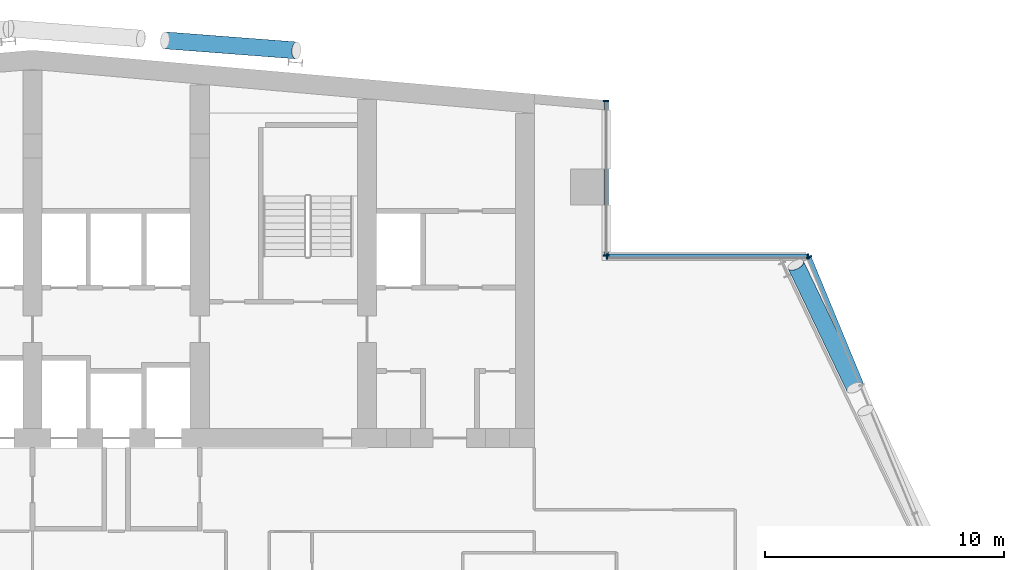
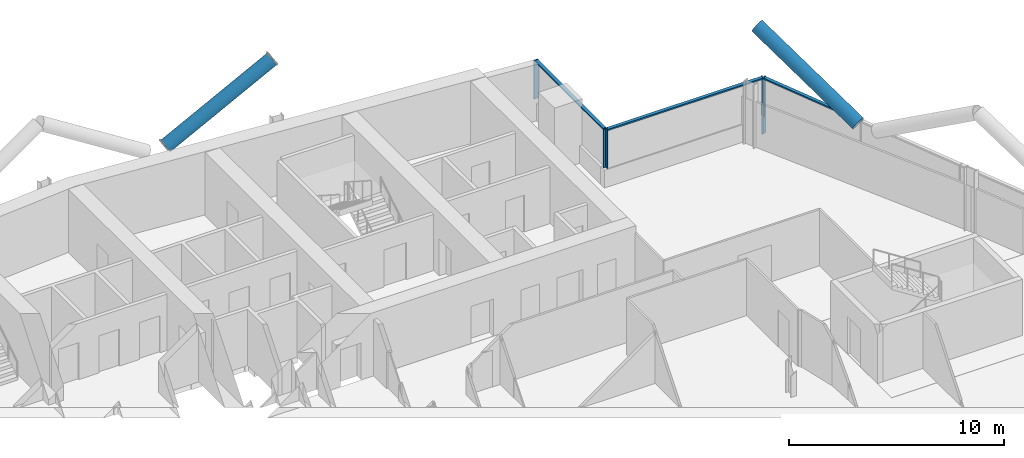
# One storey, part 10 of 26: 10 members, 3 elements without a shape of their own.
"""IFC4 building model written with IfcOpenShell, lengths in metres."""

from ifc_helpers import new_model, si_unit, direction, frame, origin, origin_2d, place, context, subcontext, project, spatial, rectangle, hollow_circle, extrude, material, material_profile, profile_set, type_object, element, aggregate, save


model = new_model("IFC4")

# Units and contexts
model_context = context("Model", 3, precision=1e-05, world=origin(), true_north=direction((0.0, 1.0)))
body_context = subcontext(model_context, "Body", "Model", "MODEL_VIEW")
ifc_project = project(units=[si_unit("LENGTHUNIT", "METRE"), si_unit("AREAUNIT", "SQUARE_METRE"), si_unit("VOLUMEUNIT", "CUBIC_METRE"), si_unit("PLANEANGLEUNIT", "RADIAN"), si_unit("MASSUNIT", "GRAM", prefix="KILO")], contexts=[model_context])

# Site, building, storey
site_placement = place(None, origin())
site = spatial("IfcSite", under=ifc_project, at=site_placement, CompositionType="ELEMENT")
building_placement = place(site_placement, origin())
building = spatial("IfcBuilding", under=site, at=building_placement, Name="Wharfspan Tower", CompositionType="ELEMENT")
storey_placement = place(building_placement, frame((0.0, 0.0, 166.300049)))
storey = spatial("IfcBuildingStorey", under=building, at=storey_placement, Name="L40", CompositionType="ELEMENT", Elevation=166.300049)

# Curtain wall, member
ifc_material_1 = material(Name="Aluminium 6063-T6", Category="aluminium")
curtain_wall_type = type_object("IfcCurtainWallType", Name="CURTAIN WALL PROW AND END", PredefinedType="NOTDEFINED", material=ifc_material_1)
curtain_wall_1_placement = place(storey_placement, origin())
curtain_wall_1 = element("IfcCurtainWall", 1, at=curtain_wall_1_placement, inside=storey, type_object=curtain_wall_type, Name="Curtain wall E", PredefinedType="NOTDEFINED")
ifc_material_profile_1 = material_profile(ifc_material_1, rectangle(XDim=0.23999, YDim=0.060059, at=origin_2d()))
ifc_profile_set_1 = profile_set([ifc_material_profile_1], Name="Aluminium 6063-T6")
member_type_1 = type_object("IfcMemberType", Name="MULLION PROW AND END 60x240", PredefinedType="MULLION", material=ifc_profile_set_1)
member_1_placement = place(storey_placement, frame((69.488525, 41.972168, 0.0), z_axis=(0.0, 0.0, 1.0), x_axis=(-0.924325, -0.381602, 0.0)))
member_1 = element("IfcMember", 2, at=member_1_placement, type_object=member_type_1, Name="Curtain wall E mullion 8", PredefinedType="MULLION", context=body_context, shape_type="SweptSolid", body=[
    extrude(rectangle(XDim=0.23999, YDim=0.060059, at=origin_2d()), origin(), (0.0, 0.0, 1.0), 3.199951),
])

# Curtain wall, members
curtain_wall_2_placement = place(storey_placement, origin())
curtain_wall_2 = element("IfcCurtainWall", 3, at=curtain_wall_2_placement, inside=storey, type_object=curtain_wall_type, Name="Curtain wall NRE-H", PredefinedType="NOTDEFINED")
member_2_placement = place(storey_placement, frame((69.447021, 42.0, 1.0), z_axis=(0.0, 0.0, 1.0), x_axis=(0.0, -1.0, 0.0)))
member_2 = element("IfcMember", 4, at=member_2_placement, type_object=member_type_1, Name="Curtain wall NRE-H mullion 1", PredefinedType="MULLION", context=body_context, shape_type="SweptSolid", body=[
    extrude(rectangle(XDim=0.23999, YDim=0.060059, at=origin_2d()), origin(), (0.0, 0.0, 1.0), 2.199951),
])
member_3_placement = place(storey_placement, frame((61.030029, 42.0, 1.0), z_axis=(0.0, 0.0, 1.0), x_axis=(0.0, -1.0, 0.0)))
member_3 = element("IfcMember", 5, at=member_3_placement, type_object=member_type_1, Name="Curtain wall NRE-H mullion 2", PredefinedType="MULLION", context=body_context, shape_type="SweptSolid", body=[
    extrude(rectangle(XDim=0.23999, YDim=0.060059, at=origin_2d()), origin(), (0.0, 0.0, 1.0), 2.199951),
])

curtain_wall_3_placement = place(storey_placement, origin())
curtain_wall_3 = element("IfcCurtainWall", 6, at=curtain_wall_3_placement, inside=storey, type_object=curtain_wall_type, Name="Curtain wall NRE-V", PredefinedType="NOTDEFINED")
member_4_placement = place(storey_placement, frame((61.0, 42.030029, 1.0), z_axis=(0.0, 0.0, 1.0), x_axis=(-1.0, 0.0, 0.0)))
member_4 = element("IfcMember", 7, at=member_4_placement, type_object=member_type_1, Name="Curtain wall NRE-V mullion 1", PredefinedType="MULLION", context=body_context, shape_type="SweptSolid", body=[
    extrude(rectangle(XDim=0.23999, YDim=0.060059, at=origin_2d()), origin(), (0.0, 0.0, 1.0), 2.199951),
])
member_5_placement = place(storey_placement, frame((61.0, 48.494873, 1.0), z_axis=(0.0, 0.0, 1.0), x_axis=(-1.0, 0.0, 0.0)))
member_5 = element("IfcMember", 8, at=member_5_placement, type_object=member_type_1, Name="Curtain wall NRE-V mullion 2", PredefinedType="MULLION", context=body_context, shape_type="SweptSolid", body=[
    extrude(rectangle(XDim=0.23999, YDim=0.060059, at=origin_2d()), origin(), (0.0, 0.0, 1.0), 2.199951),
])

# Members
ifc_material_2 = material(Name="Steel S460NH", Category="steel")
ifc_material_profile_2 = material_profile(ifc_material_2, hollow_circle(Radius=0.355469, WallThickness=0.035889, at=origin_2d()))
ifc_profile_set_2 = profile_set([ifc_material_profile_2], Name="Steel S460NH")
member_type_2 = type_object("IfcMemberType", Name="Mega brace CHS 711x36", PredefinedType="BRACE", material=ifc_profile_set_2)
member_6_placement = place(storey_placement, frame((71.401123, 36.504395, 3.205811), z_axis=(-0.374119, 0.780731, 0.500494), x_axis=(-0.90181, -0.432137, -3e-06)))
element("IfcMember", 9, at=member_6_placement, inside=storey, type_object=member_type_2, Name="Mega brace E6 L40 part 2", PredefinedType="BRACE", context=body_context, shape_type="SweptSolid", body=[
    extrude(hollow_circle(Radius=0.355469, WallThickness=0.035889, at=origin_2d()), origin(), (0.0, 0.0, 1.0), 6.581787),
])
member_7_placement = place(storey_placement, frame((42.543213, 51.037354, 3.202881), z_axis=(0.855596, -0.065362, 0.513502), x_axis=(0.076171, 0.997095, 1e-06)))
element("IfcMember", 10, at=member_7_placement, inside=storey, type_object=member_type_2, Name="Mega brace N8 L40 part 2", PredefinedType="BRACE", context=body_context, shape_type="SweptSolid", body=[
    extrude(hollow_circle(Radius=0.355469, WallThickness=0.035889, at=origin_2d()), origin(), (0.0, 0.0, 1.0), 6.420898),
])

# Member
ifc_material_profile_3 = material_profile(ifc_material_1, rectangle(XDim=0.179932, YDim=0.080078, at=origin_2d()))
ifc_profile_set_3 = profile_set([ifc_material_profile_3], Name="Aluminium 6063-T6")
member_type_3 = type_object("IfcMemberType", Name="TRANSOM PROW AND END 80x180", PredefinedType="USERDEFINED", material=ifc_profile_set_3)
member_8_placement = place(storey_placement, frame((71.683105, 36.65625, 3.159912), z_axis=(-0.38158, 0.924336, 0.0), x_axis=(-0.924336, -0.38158, 0.0)))
member_8 = element("IfcMember", 11, at=member_8_placement, type_object=member_type_3, Name="Curtain wall E transom 7", ObjectType="TRANSOM", PredefinedType="USERDEFINED", context=body_context, shape_type="SweptSolid", body=[
    extrude(rectangle(XDim=0.179932, YDim=0.080078, at=origin_2d()), origin(), (0.0, 0.0, 1.0), 5.721191),
])

aggregate(curtain_wall_1, [member_1, member_8])

member_9_placement = place(storey_placement, frame((69.416992, 42.0, 3.159912), z_axis=(-1.0, 0.0, 0.0), x_axis=(0.0, -1.0, 0.0)))
member_9 = element("IfcMember", 12, at=member_9_placement, type_object=member_type_3, Name="Curtain wall NRE-H transom 1", ObjectType="TRANSOM", PredefinedType="USERDEFINED", context=body_context, shape_type="SweptSolid", body=[
    extrude(rectangle(XDim=0.179932, YDim=0.080078, at=origin_2d()), origin(), (0.0, 0.0, 1.0), 8.356934),
])

aggregate(curtain_wall_2, [member_2, member_3, member_9])

member_10_placement = place(storey_placement, frame((61.0, 42.060059, 3.159912), z_axis=(0.0, 1.0, 0.0), x_axis=(-1.0, 0.0, 0.0)))
member_10 = element("IfcMember", 13, at=member_10_placement, type_object=member_type_3, Name="Curtain wall NRE-V transom 1", ObjectType="TRANSOM", PredefinedType="USERDEFINED", context=body_context, shape_type="SweptSolid", body=[
    extrude(rectangle(XDim=0.179932, YDim=0.080078, at=origin_2d()), origin(), (0.0, 0.0, 1.0), 6.404785),
])

aggregate(curtain_wall_3, [member_4, member_5, member_10])

save(model, "model.ifc")
